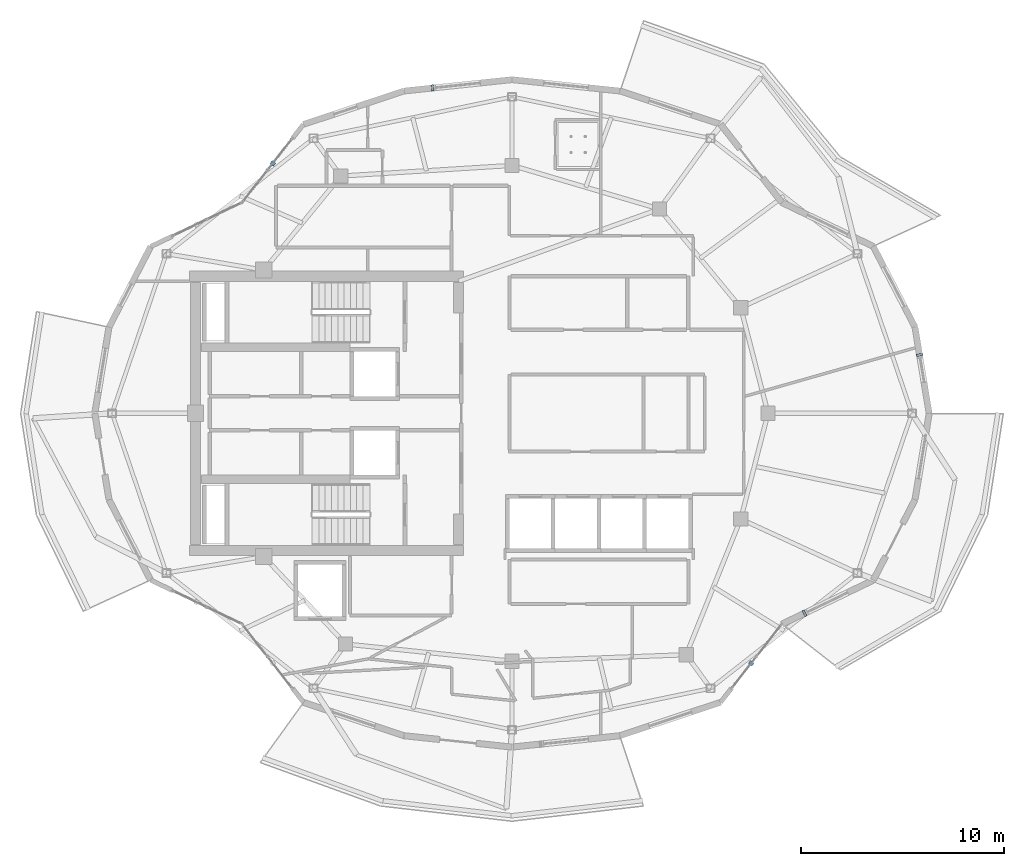
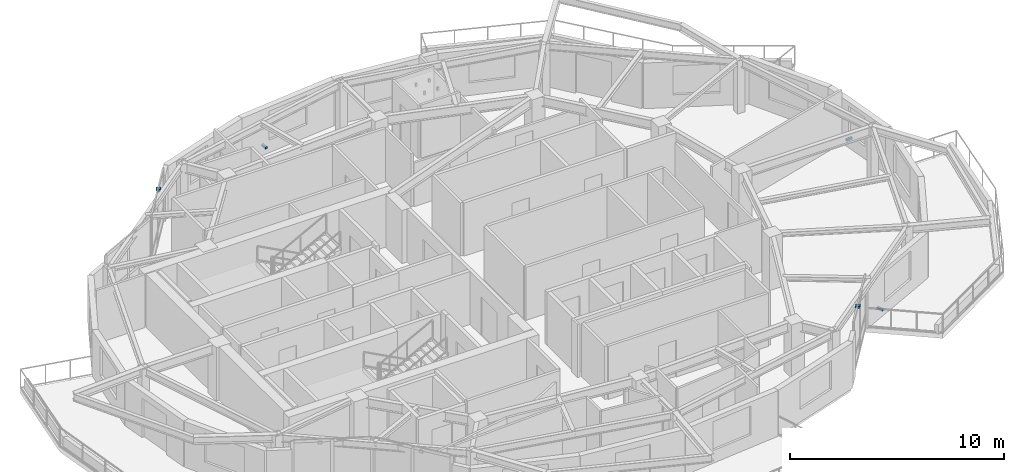
# One storey, part 12 of 15: 5 discrete accessories.
"""IFC4 building model written with IfcOpenShell, lengths in metres."""

from ifc_helpers import new_model, si_unit, direction, frame, origin, origin_2d, place, context, subcontext, project, spatial, rectangle, extrude, material, type_object, element, save


model = new_model("IFC4")

# Units and contexts
model_context = context("Model", 3, precision=1e-05, world=origin(), true_north=direction((0.0, 1.0)))
body_context = subcontext(model_context, "Body", "Model", "MODEL_VIEW")
ifc_project = project(units=[si_unit("LENGTHUNIT", "METRE"), si_unit("AREAUNIT", "SQUARE_METRE"), si_unit("VOLUMEUNIT", "CUBIC_METRE"), si_unit("PLANEANGLEUNIT", "RADIAN"), si_unit("MASSUNIT", "GRAM", prefix="KILO")], contexts=[model_context])

# Site, building, storey
site_placement = place(None, origin())
site = spatial("IfcSite", under=ifc_project, at=site_placement, CompositionType="ELEMENT")
building_placement = place(site_placement, origin())
building = spatial("IfcBuilding", under=site, at=building_placement, Name="Kolvaren Gate Tower and Convention Centre", CompositionType="ELEMENT")
storey_placement = place(building_placement, frame((0.0, 0.0, 265.699951171875)))
storey = spatial("IfcBuildingStorey", under=building, at=storey_placement, Name="L72", CompositionType="ELEMENT", Elevation=265.699951171875)

# Discrete accessories
ifc_material = material(Name="Anodized Architectural Aluminium Alloy 6063-T6", Category="aluminium")
discrete_accessory_type = type_object("IfcDiscreteAccessoryType", Name="ARCH-ACC-BRACKET-120", PredefinedType="BRACKET", material=ifc_material)
for number, where, z_axis, x_axis, name in (
    (1, (50.18310546875, 29.87548828125, 0.2900390625), (0.0, 0.0, 1.0), (0.162385734509, -0.986727355062, 0.0), "Ceramic Fin Wall Anchor Bracket FBK-L72-00"),
    (2, (26.21533203125, 43.01318359375, 0.2900390625), (0.0, 0.0, 1.0), (0.994498701491, 0.104748903254, 0.0), "Ceramic Fin Wall Anchor Bracket FBK-L72-06"),
):
    element("IfcDiscreteAccessory", number, at=place(storey_placement, frame(where, z_axis=z_axis, x_axis=x_axis)), inside=storey, type_object=discrete_accessory_type, Name=name, PredefinedType="BRACKET", context=body_context, shape_type="SweptSolid", body=[
        extrude(rectangle(XDim=0.1201171875, YDim=0.320068359375, at=origin_2d()), origin(), (0.0, 0.0, 1.0), 0.1201171875),
    ])
for number, where, z_axis, x_axis, name in (
    (3, (18.352783203125, 39.2998046875, 2.85009765625), (0.0, 0.0, 1.0), (0.616429996253, 0.787409715281, 0.0), "Solar Screen Spandrel Anchor Bracket BK-L72-08"),
    (4, (41.897216796875, 14.7001953125, 2.85009765625), (0.0, 0.0, 1.0), (0.616429996253, 0.787409715281, 0.0), "Solar Screen Spandrel Anchor Bracket BK-L72-20"),
):
    element("IfcDiscreteAccessory", number, at=place(storey_placement, frame(where, z_axis=z_axis, x_axis=x_axis)), inside=storey, type_object=discrete_accessory_type, Name=name, PredefinedType="BRACKET", context=body_context, shape_type="SweptSolid", body=[
        extrude(rectangle(XDim=0.179931640625, YDim=0.219970703125, at=origin_2d()), origin(), (0.0, 0.0, 1.0), 0.1201171875),
    ])
discrete_accessory_placement = place(storey_placement, frame((44.518798828125, 17.160400390625, 0.2900390625), z_axis=(0.0, 0.0, 1.0), x_axis=(0.901356122373, 0.433078677218, 0.0)))
element("IfcDiscreteAccessory", 5, at=discrete_accessory_placement, inside=storey, type_object=discrete_accessory_type, Name="Ceramic Fin Wall Anchor Bracket FBK-L72-21", PredefinedType="BRACKET", context=body_context, shape_type="SweptSolid", body=[
    extrude(rectangle(XDim=0.1201171875, YDim=0.320068359375, at=origin_2d()), origin(), (0.0, 0.0, 1.0), 0.1201171875),
])

save(model, "model.ifc")
